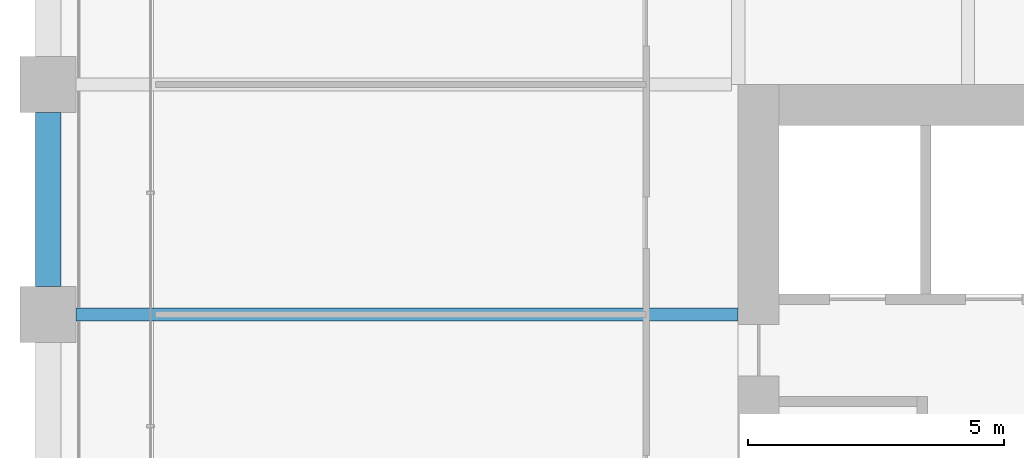
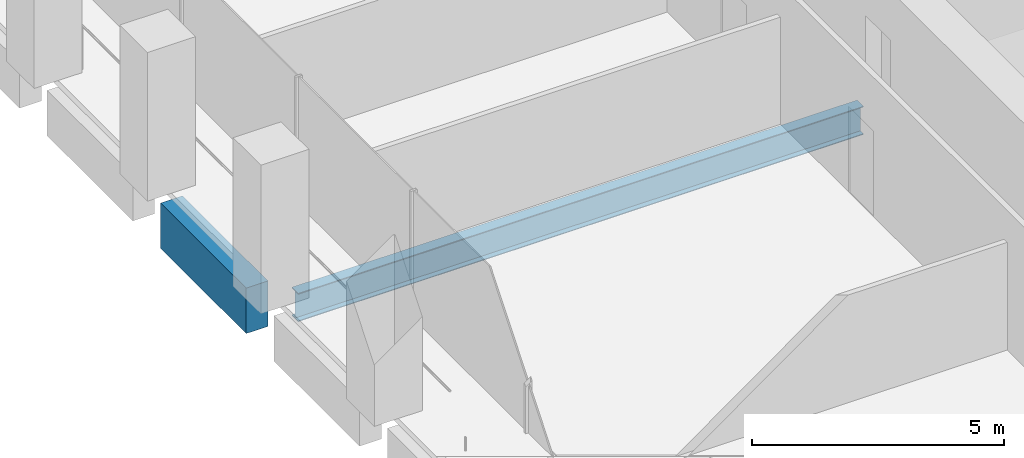
# One storey, part 13 of 56: 2 beams.
"""IFC4 building model written with IfcOpenShell, lengths in metres."""

from ifc_helpers import new_model, si_unit, direction, frame, origin, origin_2d, place, context, subcontext, project, spatial, rectangle, i_section, extrude, material, material_profile, profile_set, type_object, element, save


model = new_model("IFC4")

# Units and contexts
model_context = context("Model", 3, precision=1e-05, world=origin(), true_north=direction((0.0, 1.0)))
body_context = subcontext(model_context, "Body", "Model", "MODEL_VIEW")
ifc_project = project(units=[si_unit("LENGTHUNIT", "METRE"), si_unit("AREAUNIT", "SQUARE_METRE"), si_unit("VOLUMEUNIT", "CUBIC_METRE"), si_unit("PLANEANGLEUNIT", "RADIAN"), si_unit("MASSUNIT", "GRAM", prefix="KILO")], contexts=[model_context])

# Site, building, storey
site_placement = place(None, origin())
site = spatial("IfcSite", under=ifc_project, at=site_placement, CompositionType="ELEMENT")
building_placement = place(site_placement, origin())
building = spatial("IfcBuilding", under=site, at=building_placement, Name="Altepetl Exchange Towers", CompositionType="ELEMENT")
storey_placement = place(building_placement, frame((0.0, 0.0, 83.39990234375)))
storey = spatial("IfcBuildingStorey", under=building, at=storey_placement, Name="L20", CompositionType="ELEMENT", Elevation=83.39990234375)

# Beams
ifc_material_1 = material(Name="Steel S355", Category="steel")
ifc_material_profile_1 = material_profile(ifc_material_1, i_section(OverallWidth=0.25390625, OverallDepth=0.68408203125, WebThickness=0.012451171875, FlangeThickness=0.018798828125, at=origin_2d()), Name="W27X94")
ifc_profile_set_1 = profile_set([ifc_material_profile_1], Name="Steel S355")
beam_type_1 = type_object("IfcBeamType", Name="Floor beam W27X94", PredefinedType="BEAM", material=ifc_profile_set_1)
beam_1_placement = place(storey_placement, frame((27.550048828125, 54.0, -0.491943359375), z_axis=(1.0, 0.0, 0.0), x_axis=(0.0, 1.0, 0.0)))
element("IfcBeam", 1, at=beam_1_placement, inside=storey, type_object=beam_type_1, Name="bm:A:L20:020", PredefinedType="BEAM", context=body_context, shape_type="SweptSolid", body=[
    extrude(i_section(OverallWidth=0.25390625, OverallDepth=0.68408203125, WebThickness=0.012451171875, FlangeThickness=0.018798828125, at=origin_2d()), origin(), (0.0, 0.0, 1.0), 12.949951171875),
])
ifc_material_2 = material(Name="Concrete C50/60 precast with tezontle facing", Category="concrete")
ifc_material_profile_2 = material_profile(ifc_material_2, rectangle(XDim=0.5, YDim=1.10009765625, at=origin_2d()), Name="500 x 1100")
ifc_profile_set_2 = profile_set([ifc_material_profile_2], Name="Concrete C50/60 precast with tezontle facing")
beam_type_2 = type_object("IfcBeamType", Name="Spandrel beam 500x1100 tezontle", PredefinedType="SPANDREL", material=ifc_profile_set_2)
beam_2_placement = place(storey_placement, frame((27.0, 57.949951171875, -0.699951171875), z_axis=(0.0, -1.0, 0.0), x_axis=(1.0, 0.0, 0.0)))
element("IfcBeam", 2, at=beam_2_placement, inside=storey, type_object=beam_type_2, Name="sp:A:L20:038", PredefinedType="SPANDREL", context=body_context, shape_type="SweptSolid", body=[
    extrude(rectangle(XDim=0.5, YDim=1.10009765625, at=origin_2d()), origin(), (0.0, 0.0, 1.0), 3.39990234375),
])

save(model, "model.ifc")
